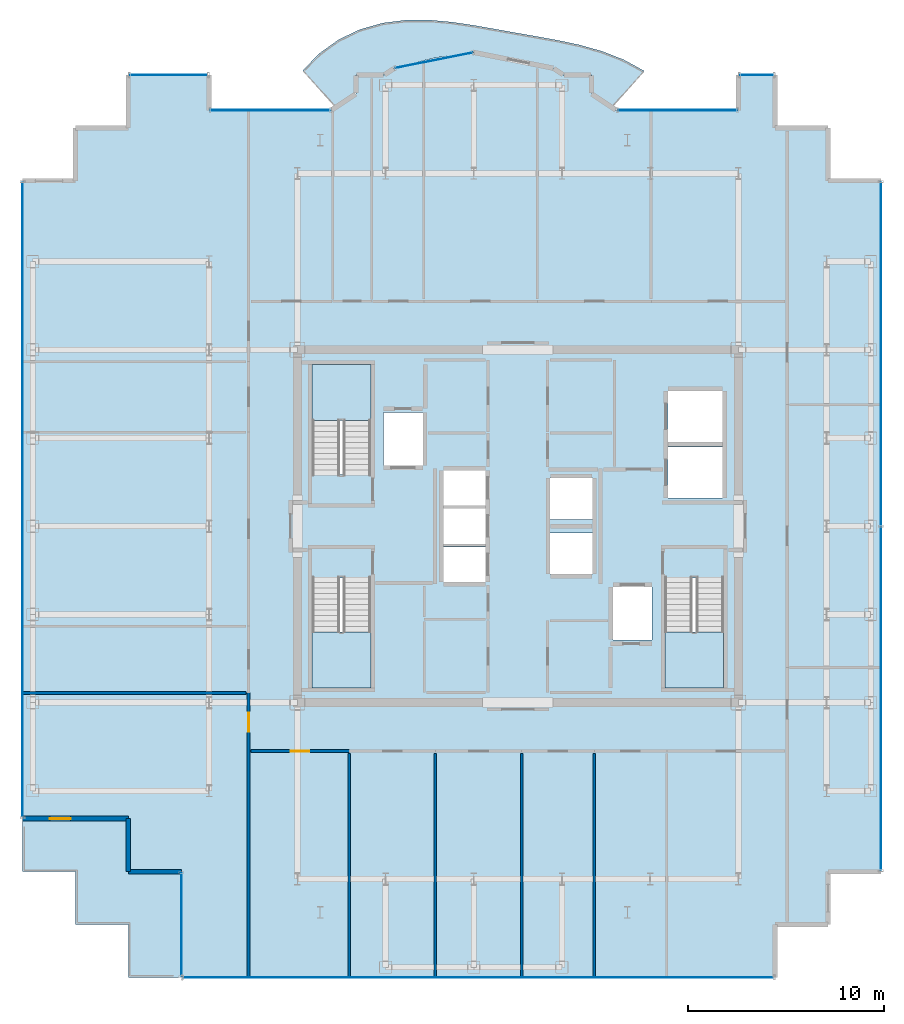
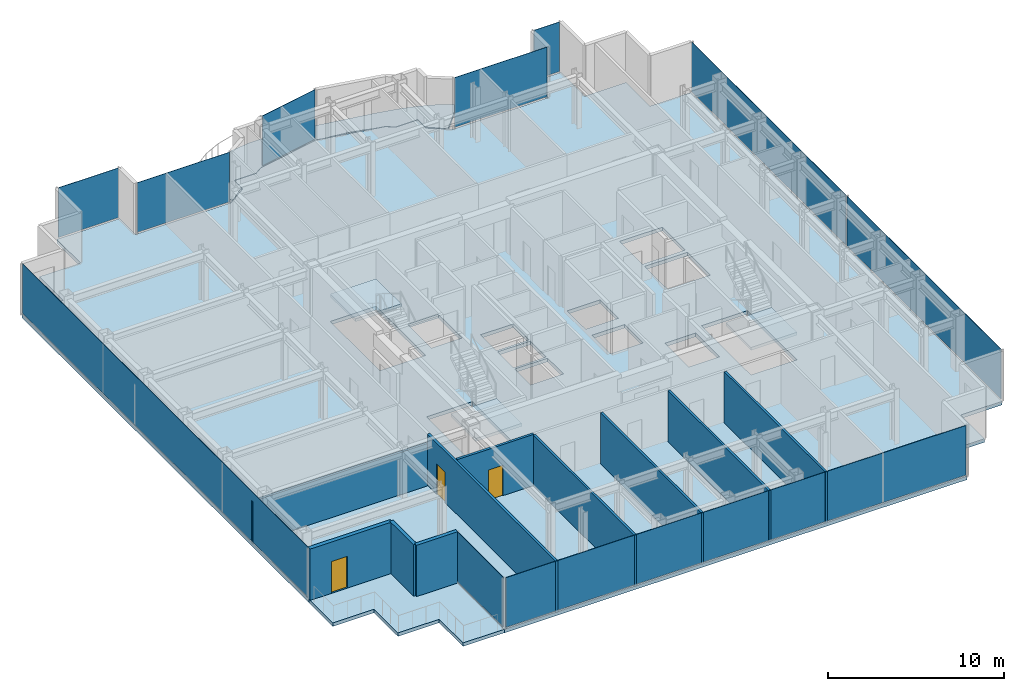
# One storey, part 10 of 17: 10 plates, 10 walls, 6 slabs, 3 doors, 3 openings, 12 elements without a shape of their own.
"""IFC4 building model written with IfcOpenShell, lengths in metres."""

from ifc_helpers import new_model, si_unit, direction, frame, frame_2d, origin, origin_2d, place, context, subcontext, project, spatial, polyline, rectangle, outline, extrude, source, transform, mapped, material, layer, layer_set, type_object, element, fill, aggregate, save


model = new_model("IFC4")

# Units and contexts
model_context = context("Model", 3, precision=1e-05, world=origin(), true_north=direction((0.0, 1.0)))
body_context = subcontext(model_context, "Body", "Model", "MODEL_VIEW")
ifc_project = project(units=[si_unit("LENGTHUNIT", "METRE"), si_unit("AREAUNIT", "SQUARE_METRE"), si_unit("VOLUMEUNIT", "CUBIC_METRE"), si_unit("PLANEANGLEUNIT", "RADIAN"), si_unit("MASSUNIT", "GRAM", prefix="KILO")], contexts=[model_context])

# Site, building, storey
site_placement = place(None, origin())
site = spatial("IfcSite", under=ifc_project, at=site_placement, CompositionType="ELEMENT")
building_placement = place(site_placement, origin())
building = spatial("IfcBuilding", under=site, at=building_placement, Name="Nefas-Gora Pilgrimage Tower", CompositionType="ELEMENT")
storey_placement = place(building_placement, frame((0.0, 0.0, 279.800048828125)))
storey = spatial("IfcBuildingStorey", under=building, at=storey_placement, Name="L70", CompositionType="ELEMENT", Elevation=279.800048828125)

# Slabs
ifc_material_1 = material(Name="Concrete C40/50", Category="concrete")
ifc_layer_1 = layer(ifc_material_1, 0.219970703125)
ifc_layer_set_1 = layer_set([ifc_layer_1], Name="Concrete C40/50")
slab_type_1 = type_object("IfcSlabType", Name="SLB-BAL-P3", PredefinedType="FLOOR", material=ifc_layer_set_1)
slab_1_placement = place(storey_placement, frame((0.0, 0.0, -0.219970703125)))
element("IfcSlab", 1, at=slab_1_placement, inside=storey, type_object=slab_type_1, Name="L70 Sinusoidal Lobe Balcony Slab N (Phase 3)", PredefinedType="FLOOR", context=body_context, shape_type="SweptSolid", body=[
    extrude(outline(polyline([(-9.28759765625, 21.385986328125), (-9.224609375, 21.427978515625), (-8.538330078125, 21.9912109375), (-8.260009765625, 22.179931640625), (-8.260009765625, 23.02001953125), (-8.260009765625, 23.02099609375), (-8.259765625, 23.02197265625), (-8.259521484375, 23.02294921875), (-8.25927734375, 23.023681640625), (-8.2587890625, 23.024658203125), (-8.25830078125, 23.025634765625), (-8.2578125, 23.0263671875), (-8.257080078125, 23.027099609375), (-8.25634765625, 23.027587890625), (-8.255615234375, 23.0283203125), (-8.254638671875, 23.02880859375), (-8.25390625, 23.029296875), (-8.2529296875, 23.029541015625), (-8.251953125, 23.02978515625), (-8.2509765625, 23.030029296875), (-8.25, 23.030029296875), (-6.8271484375, 23.030029296875), (-6.31298828125, 23.37353515625), (-6.31201171875, 23.3740234375), (-6.311279296875, 23.37451171875), (-6.310302734375, 23.375), (-6.309326171875, 23.375), (-5.63037109375, 23.51025390625), (-5.102783203125, 23.685302734375), (-4.165283203125, 23.904052734375), (-3.211669921875, 24.035888671875), (-2.919921875, 24.04931640625), (-2.251953125, 24.18212890625), (-2.2509765625, 24.182373046875), (-2.25, 24.182373046875), (-2.2490234375, 24.182373046875), (-2.248046875, 24.18212890625), (-1.580078125, 24.04931640625), (-1.288330078125, 24.035888671875), (-0.334716796875, 23.904052734375), (0.602783203125, 23.685302734375), (1.13037109375, 23.51025390625), (1.809326171875, 23.375), (1.810302734375, 23.375), (1.811279296875, 23.37451171875), (1.81201171875, 23.3740234375), (1.81298828125, 23.37353515625), (2.3271484375, 23.030029296875), (3.75, 23.030029296875), (3.7509765625, 23.030029296875), (3.751953125, 23.02978515625), (3.7529296875, 23.029541015625), (3.75390625, 23.029296875), (3.754638671875, 23.02880859375), (3.755615234375, 23.0283203125), (3.75634765625, 23.027587890625), (3.757080078125, 23.027099609375), (3.7578125, 23.0263671875), (3.75830078125, 23.025634765625), (3.7587890625, 23.024658203125), (3.75927734375, 23.023681640625), (3.759521484375, 23.02294921875), (3.759765625, 23.02197265625), (3.760009765625, 23.02099609375), (3.760009765625, 23.02001953125), (3.760009765625, 22.179931640625), (4.038330078125, 21.9912109375), (4.724609375, 21.427978515625), (4.78759765625, 21.385986328125), (6.4453125, 23.22705078125), (5.391357421875, 23.802978515625), (4.284912109375, 24.234130859375), (3.16455078125, 24.5498046875), (2.055908203125, 24.787353515625), (0.969482421875, 24.985107421875), (-0.099609375, 25.172607421875), (-1.166259765625, 25.3642578125), (-2.25, 25.554931640625), (-3.366455078125, 25.720947265625), (-4.521240234375, 25.824951171875), (-5.70556640625, 25.822509765625), (-6.8955078125, 25.672119140625), (-8.055908203125, 25.343505859375), (-9.14599609375, 24.8232421875), (-10.127197265625, 24.118896484375), (-10.9716796875, 23.25634765625), (-9.28759765625, 21.385986328125)])), origin(), (0.0, 0.0, 1.0), 0.219970703125),
])
ifc_layer_2 = layer(ifc_material_1, 0.239990234375)
ifc_layer_set_2 = layer_set([ifc_layer_2], Name="Concrete C40/50")
slab_type_2 = type_object("IfcSlabType", Name="SLB-TER-SP-SW", PredefinedType="FLOOR", material=ifc_layer_set_2)
slab_2_placement = place(storey_placement, frame((0.0, 0.0, -0.239990234375)))
element("IfcSlab", 2, at=slab_2_placement, inside=storey, type_object=slab_type_2, Name="L70 Outdoor Sky Terrace Slab TER-SP-SW", PredefinedType="FLOOR", context=body_context, shape_type="SweptSolid", body=[
    extrude(outline(polyline([(-17.169921875, -23.02001953125), (-17.169921875, -17.6201171875), (-19.8701171875, -17.6201171875), (-19.8701171875, -14.919921875), (-25.27001953125, -14.919921875), (-25.27001953125, -17.6201171875), (-22.570068359375, -17.6201171875), (-22.570068359375, -20.320068359375), (-19.8701171875, -20.320068359375), (-19.8701171875, -23.02001953125), (-17.169921875, -23.02001953125)])), origin(), (0.0, 0.0, 1.0), 0.239990234375),
])
ifc_layer_3 = layer(ifc_material_1, 0.25)
ifc_layer_set_3 = layer_set([ifc_layer_3], Name="Concrete C40/50")
slab_type_3 = type_object("IfcSlabType", Name="SLB-TWR-260", PredefinedType="FLOOR", material=ifc_layer_set_3)
slab_3_placement = place(storey_placement, frame((0.0, 0.0, -0.25)))
element("IfcSlab", 3, at=slab_3_placement, inside=storey, type_object=slab_type_3, Name="L70 Structural Floor Slab", PredefinedType="FLOOR", context=body_context, shape_type="SweptSolid", body=[
    extrude(outline(polyline([(15.820068359375, -20.320068359375), (15.820068359375, -17.6201171875), (18.52001953125, -17.6201171875), (18.52001953125, 17.6201171875), (15.820068359375, 17.6201171875), (15.820068359375, 20.320068359375), (13.1201171875, 20.320068359375), (13.1201171875, 23.02001953125), (11.25, 23.02001953125), (11.25, 21.219970703125), (5.01806640625, 21.219970703125), (3.75, 22.0673828125), (3.75, 23.02001953125), (2.32421875, 23.02001953125), (1.807373046875, 23.365234375), (-2.25, 24.17236328125), (-6.307373046875, 23.365234375), (-6.82421875, 23.02001953125), (-8.25, 23.02001953125), (-8.25, 22.0673828125), (-9.51806640625, 21.219970703125), (-15.75, 21.219970703125), (-15.75, 23.02001953125), (-19.8701171875, 23.02001953125), (-19.8701171875, 20.320068359375), (-22.570068359375, 20.320068359375), (-22.570068359375, 17.6201171875), (-25.27001953125, 17.6201171875), (-25.27001953125, -14.919921875), (-19.8701171875, -14.919921875), (-19.8701171875, -17.6201171875), (-17.169921875, -17.6201171875), (-17.169921875, -23.02001953125), (13.1201171875, -23.02001953125), (13.1201171875, -20.320068359375), (15.820068359375, -20.320068359375)]), holes=[polyline([(-10.5, 2.639892578125), (-10.5, 8.25), (-7.5, 8.25), (-7.5, 2.639892578125), (-10.5, 2.639892578125)]), polyline([(10.5, -2.639892578125), (10.5, -8.25), (7.5, -8.25), (7.5, -2.639892578125), (10.5, -2.639892578125)]), polyline([(-7.5, -2.639892578125), (-7.5, -8.25), (-10.5, -8.25), (-10.5, -2.639892578125), (-7.5, -2.639892578125)]), polyline([(-6.85009765625, 5.800048828125), (-4.85009765625, 5.800048828125), (-4.85009765625, 3.10009765625), (-6.85009765625, 3.10009765625), (-6.85009765625, 5.800048828125)]), polyline([(4.85009765625, -3.10009765625), (6.85009765625, -3.10009765625), (6.85009765625, -5.800048828125), (4.85009765625, -5.800048828125), (4.85009765625, -3.10009765625)]), polyline([(7.64990234375, 4.050048828125), (10.449951171875, 4.050048828125), (10.449951171875, 1.449951171875), (7.64990234375, 1.449951171875), (7.64990234375, 4.050048828125)]), polyline([(7.64990234375, 6.89990234375), (10.449951171875, 6.89990234375), (10.449951171875, 4.300048828125), (7.64990234375, 4.300048828125), (7.64990234375, 6.89990234375)]), polyline([(-3.800048828125, -1.050048828125), (-1.64990234375, -1.050048828125), (-1.64990234375, -2.85009765625), (-3.800048828125, -2.85009765625), (-3.800048828125, -1.050048828125)]), polyline([(-3.800048828125, 0.89990234375), (-1.64990234375, 0.89990234375), (-1.64990234375, -0.89990234375), (-3.800048828125, -0.89990234375), (-3.800048828125, 0.89990234375)]), polyline([(-3.800048828125, 2.85009765625), (-1.64990234375, 2.85009765625), (-1.64990234375, 1.050048828125), (-3.800048828125, 1.050048828125), (-3.800048828125, 2.85009765625)]), polyline([(1.64990234375, -0.35009765625), (3.800048828125, -0.35009765625), (3.800048828125, -2.449951171875), (1.64990234375, -2.449951171875), (1.64990234375, -0.35009765625)]), polyline([(1.64990234375, 2.449951171875), (3.800048828125, 2.449951171875), (3.800048828125, 0.35009765625), (1.64990234375, 0.35009765625), (1.64990234375, 2.449951171875)])]), origin(), (0.0, 0.0, 1.0), 0.25),
])

# Stair, slab
ifc_material_2 = material(Name="Concrete C45/55", Category="concrete")
stair_type = type_object("IfcStairType", Name="STR-1400-R1727", PredefinedType="HALF_TURN_STAIR", material=ifc_material_2)
stair_1_placement = place(storey_placement, origin())
stair_1 = element("IfcStair", 4, at=stair_1_placement, inside=storey, type_object=stair_type, Name="L70 Pressurised Tower Exit Stair ST-01", PredefinedType="HALF_TURN_STAIR")
ifc_layer_4 = layer(ifc_material_1, 0.199951171875)
ifc_layer_set_4 = layer_set([ifc_layer_4], Name="Concrete C40/50")
slab_type_4 = type_object("IfcSlabType", Name="STR-LAND-200", PredefinedType="LANDING", material=ifc_layer_set_4)
slab_4_placement = place(storey_placement, frame((0.0, 0.0, 1.699951171875)))
slab_4 = element("IfcSlab", 5, at=slab_4_placement, type_object=slab_type_4, Name="ST-01 landing 1", PredefinedType="LANDING", context=body_context, shape_type="SweptSolid", body=[
    extrude(outline(polyline([(-7.5, 5.39990234375), (-7.5, 8.25), (-10.5, 8.25), (-10.5, 5.39990234375), (-7.5, 5.39990234375)])), origin(), (0.0, 0.0, 1.0), 0.199951171875),
])
aggregate(stair_1, [slab_4])

stair_2_placement = place(storey_placement, origin())
stair_2 = element("IfcStair", 6, at=stair_2_placement, inside=storey, type_object=stair_type, Name="L70 Pressurised Tower Exit Stair ST-02", PredefinedType="HALF_TURN_STAIR")
slab_5_placement = place(storey_placement, frame((0.0, 0.0, 1.699951171875)))
slab_5 = element("IfcSlab", 7, at=slab_5_placement, type_object=slab_type_4, Name="ST-02 landing 1", PredefinedType="LANDING", context=body_context, shape_type="SweptSolid", body=[
    extrude(outline(polyline([(7.5, -5.39990234375), (7.5, -8.25), (10.5, -8.25), (10.5, -5.39990234375), (7.5, -5.39990234375)])), origin(), (0.0, 0.0, 1.0), 0.199951171875),
])
aggregate(stair_2, [slab_5])

stair_3_placement = place(storey_placement, origin())
stair_3 = element("IfcStair", 8, at=stair_3_placement, inside=storey, type_object=stair_type, Name="L70 Pressurised Tower Exit Stair ST-03", PredefinedType="HALF_TURN_STAIR")
slab_6_placement = place(storey_placement, frame((0.0, 0.0, 1.699951171875)))
slab_6 = element("IfcSlab", 9, at=slab_6_placement, type_object=slab_type_4, Name="ST-03 landing 1", PredefinedType="LANDING", context=body_context, shape_type="SweptSolid", body=[
    extrude(outline(polyline([(-10.5, -5.39990234375), (-10.5, -8.25), (-7.5, -8.25), (-7.5, -5.39990234375), (-10.5, -5.39990234375)])), origin(), (0.0, 0.0, 1.0), 0.199951171875),
])
aggregate(stair_3, [slab_6])

# Curtain wall, plate
ifc_material_3 = material(Name="Dark ceramic-fritted solar-control aluminium-glass curtain wall", Category="aluminium")
ifc_layer_5 = layer(ifc_material_3, 0.219970703125)
ifc_layer_set_5 = layer_set([ifc_layer_5], Name="Dark ceramic-fritted solar-control aluminium-glass curtain wall")
curtain_wall_type_1 = type_object("IfcCurtainWallType", Name="CW-SYS-5", PredefinedType="NOTDEFINED", material=ifc_layer_set_5)
curtain_wall_1_placement = place(storey_placement, origin())
curtain_wall_1 = element("IfcCurtainWall", 10, at=curtain_wall_1_placement, inside=storey, type_object=curtain_wall_type_1, Name="L70 Unitised Curtain Wall CW5", PredefinedType="NOTDEFINED")
ifc_material_4 = material(Name="Dark ceramic-printed low-e insulated glass", Category="glass")
ifc_layer_6 = layer(ifc_material_4, 0.028076171875)
ifc_layer_set_6 = layer_set([ifc_layer_6], Name="Dark ceramic-printed low-e insulated glass")
plate_type_1 = type_object("IfcPlateType", Name="CWP-PNL-5", PredefinedType="CURTAIN_PANEL", material=ifc_layer_set_6)
shared_shape_1 = source(origin(), body_context, "Body", "SweptSolid", [
    extrude(rectangle(XDim=6.052001953125, YDim=0.028076171875, at=origin_2d()), origin(), (0.0, 0.0, 1.0), 3.43994140625),
])
plate_1_placement = place(storey_placement, frame((8.134033203125, 21.219970703125, 0.10009765625), z_axis=(0.0, 0.0, 1.0), x_axis=(-1.0, 0.0, 0.0)))
plate_1 = element("IfcPlate", 11, at=plate_1_placement, type_object=plate_type_1, Name="CW5 Ceramic-Fritted Glazing Panel 1", PredefinedType="CURTAIN_PANEL", context=body_context, shape_type="MappedRepresentation", body=[
    mapped(shared_shape_1, transform((0.0, 0.0, 0.0), x_axis=(1.0, 0.0, 0.0), y_axis=(0.0, 1.0, 0.0), z_axis=(0.0, 0.0, 1.0), scale=1.0)),
])
aggregate(curtain_wall_1, [plate_1])

curtain_wall_2_placement = place(storey_placement, origin())
curtain_wall_2 = element("IfcCurtainWall", 12, at=curtain_wall_2_placement, inside=storey, type_object=curtain_wall_type_1, Name="L70 Unitised Curtain Wall CW5", PredefinedType="NOTDEFINED")
plate_2_placement = place(storey_placement, frame((-12.634033203125, 21.219970703125, 0.10009765625), z_axis=(0.0, 0.0, 1.0), x_axis=(-1.0, 0.0, 0.0)))
plate_2 = element("IfcPlate", 13, at=plate_2_placement, type_object=plate_type_1, Name="CW5 Ceramic-Fritted Glazing Panel 1", PredefinedType="CURTAIN_PANEL", context=body_context, shape_type="MappedRepresentation", body=[
    mapped(shared_shape_1, transform((0.0, 0.0, 0.0), x_axis=(1.0, 0.0, 0.0), y_axis=(0.0, 1.0, 0.0), z_axis=(0.0, 0.0, 1.0), scale=1.0)),
])
aggregate(curtain_wall_2, [plate_2])

curtain_wall_3_placement = place(storey_placement, origin())
curtain_wall_3 = element("IfcCurtainWall", 14, at=curtain_wall_3_placement, inside=storey, type_object=curtain_wall_type_1, Name="L70 Unitised Curtain Wall CW5", PredefinedType="NOTDEFINED")
shared_shape_2 = source(origin(), body_context, "Body", "SweptSolid", [
    extrude(rectangle(XDim=3.956787109375, YDim=0.028076171875, at=origin_2d()), origin(), (0.0, 0.0, 1.0), 3.43994140625),
])
plate_3_placement = place(storey_placement, frame((-4.278564453125, 23.768798828125, 0.10009765625), z_axis=(0.0, 0.0, 1.0), x_axis=(-0.980782896852, -0.195102304554, 0.0)))
plate_3 = element("IfcPlate", 15, at=plate_3_placement, type_object=plate_type_1, Name="CW5 Ceramic-Fritted Glazing Panel 1", PredefinedType="CURTAIN_PANEL", context=body_context, shape_type="MappedRepresentation", body=[
    mapped(shared_shape_2, transform((0.0, 0.0, 0.0), x_axis=(1.0, 0.0, 0.0), y_axis=(0.0, 1.0, 0.0), z_axis=(0.0, 0.0, 1.0), scale=1.0)),
])
aggregate(curtain_wall_3, [plate_3])

ifc_layer_7 = layer(ifc_material_3, 0.219970703125)
ifc_layer_set_7 = layer_set([ifc_layer_7], Name="Dark ceramic-fritted solar-control aluminium-glass curtain wall")
curtain_wall_type_2 = type_object("IfcCurtainWallType", Name="CW-SYS-4", PredefinedType="NOTDEFINED", material=ifc_layer_set_7)
curtain_wall_4_placement = place(storey_placement, origin())
curtain_wall_4 = element("IfcCurtainWall", 16, at=curtain_wall_4_placement, inside=storey, type_object=curtain_wall_type_2, Name="L70 Unitised Curtain Wall CW4", PredefinedType="NOTDEFINED")
ifc_layer_8 = layer(ifc_material_4, 0.030029296875)
ifc_layer_set_8 = layer_set([ifc_layer_8], Name="Dark ceramic-printed low-e insulated glass")
plate_type_2 = type_object("IfcPlateType", Name="CWP-PNL-4", PredefinedType="CURTAIN_PANEL", material=ifc_layer_set_8)
shared_shape_3 = source(origin(), body_context, "Body", "SweptSolid", [
    extrude(rectangle(XDim=1.68994140625, YDim=0.030029296875, at=origin_2d()), origin(), (0.0, 0.0, 1.0), 3.43994140625),
])
plate_4_placement = place(storey_placement, frame((12.18505859375, 23.02001953125, 0.10009765625), z_axis=(0.0, 0.0, 1.0), x_axis=(-1.0, 0.0, 0.0)))
plate_4 = element("IfcPlate", 17, at=plate_4_placement, type_object=plate_type_2, Name="CW4 Ceramic-Fritted Glazing Panel 1", PredefinedType="CURTAIN_PANEL", context=body_context, shape_type="MappedRepresentation", body=[
    mapped(shared_shape_3, transform((0.0, 0.0, 0.0), x_axis=(1.0, 0.0, 0.0), y_axis=(0.0, 1.0, 0.0), z_axis=(0.0, 0.0, 1.0), scale=1.0)),
])
aggregate(curtain_wall_4, [plate_4])

curtain_wall_5_placement = place(storey_placement, origin())
curtain_wall_5 = element("IfcCurtainWall", 18, at=curtain_wall_5_placement, inside=storey, type_object=curtain_wall_type_2, Name="L70 Unitised Curtain Wall CW4", PredefinedType="NOTDEFINED")
shared_shape_4 = source(origin(), body_context, "Body", "SweptSolid", [
    extrude(rectangle(XDim=3.93994140625, YDim=0.030029296875, at=origin_2d()), origin(), (0.0, 0.0, 1.0), 3.43994140625),
])
plate_5_placement = place(storey_placement, frame((-17.81005859375, 23.02001953125, 0.10009765625), z_axis=(0.0, 0.0, 1.0), x_axis=(-1.0, 0.0, 0.0)))
plate_5 = element("IfcPlate", 19, at=plate_5_placement, type_object=plate_type_2, Name="CW4 Ceramic-Fritted Glazing Panel 1", PredefinedType="CURTAIN_PANEL", context=body_context, shape_type="MappedRepresentation", body=[
    mapped(shared_shape_4, transform((0.0, 0.0, 0.0), x_axis=(1.0, 0.0, 0.0), y_axis=(0.0, 1.0, 0.0), z_axis=(0.0, 0.0, 1.0), scale=1.0)),
])
aggregate(curtain_wall_5, [plate_5])

# Curtain wall, plates
curtain_wall_6_placement = place(storey_placement, origin())
curtain_wall_6 = element("IfcCurtainWall", 20, at=curtain_wall_6_placement, inside=storey, type_object=curtain_wall_type_2, Name="L70 Unitised Curtain Wall CW4", PredefinedType="NOTDEFINED")
shared_shape_5 = source(origin(), body_context, "Body", "SweptSolid", [
    extrude(rectangle(XDim=17.485107421875, YDim=0.030029296875, at=origin_2d()), origin(), (0.0, 0.0, 1.0), 3.43994140625),
])
plate_6_placement = place(storey_placement, frame((18.52001953125, -8.78759765625, 0.10009765625), z_axis=(0.0, 0.0, 1.0), x_axis=(0.0, 1.0, 0.0)))
plate_6 = element("IfcPlate", 21, at=plate_6_placement, type_object=plate_type_2, Name="CW4 Ceramic-Fritted Glazing Panel 1", PredefinedType="CURTAIN_PANEL", context=body_context, shape_type="MappedRepresentation", body=[
    mapped(shared_shape_5, transform((0.0, 0.0, 0.0), x_axis=(1.0, 0.0, 0.0), y_axis=(0.0, 1.0, 0.0), z_axis=(0.0, 0.0, 1.0), scale=1.0)),
])
plate_7_placement = place(storey_placement, frame((18.52001953125, 8.78759765625, 0.10009765625), z_axis=(0.0, 0.0, 1.0), x_axis=(0.0, 1.0, 0.0)))
plate_7 = element("IfcPlate", 22, at=plate_7_placement, type_object=plate_type_2, Name="CW4 Ceramic-Fritted Glazing Panel 2", PredefinedType="CURTAIN_PANEL", context=body_context, shape_type="MappedRepresentation", body=[
    mapped(shared_shape_5, transform((0.0, 0.0, 0.0), x_axis=(1.0, 0.0, 0.0), y_axis=(0.0, 1.0, 0.0), z_axis=(0.0, 0.0, 1.0), scale=1.0)),
])
aggregate(curtain_wall_6, [plate_6, plate_7])

# Curtain wall, plate
curtain_wall_7_placement = place(storey_placement, origin())
curtain_wall_7 = element("IfcCurtainWall", 23, at=curtain_wall_7_placement, inside=storey, type_object=curtain_wall_type_2, Name="L70 Unitised Curtain Wall CW4", PredefinedType="NOTDEFINED")
shared_shape_6 = source(origin(), body_context, "Body", "SweptSolid", [
    extrude(rectangle(XDim=32.360107421875, YDim=0.030029296875, at=origin_2d()), origin(), (0.0, 0.0, 1.0), 3.43994140625),
])
plate_8_placement = place(storey_placement, frame((-25.27001953125, 1.35009765625, 0.10009765625), z_axis=(0.0, 0.0, 1.0), x_axis=(0.0, -1.0, 0.0)))
plate_8 = element("IfcPlate", 24, at=plate_8_placement, type_object=plate_type_2, Name="CW4 Ceramic-Fritted Glazing Panel 1", PredefinedType="CURTAIN_PANEL", context=body_context, shape_type="MappedRepresentation", body=[
    mapped(shared_shape_6, transform((0.0, 0.0, 0.0), x_axis=(1.0, 0.0, 0.0), y_axis=(0.0, 1.0, 0.0), z_axis=(0.0, 0.0, 1.0), scale=1.0)),
])
aggregate(curtain_wall_7, [plate_8])

curtain_wall_8_placement = place(storey_placement, origin())
curtain_wall_8 = element("IfcCurtainWall", 25, at=curtain_wall_8_placement, inside=storey, type_object=curtain_wall_type_2, Name="L70 Unitised Curtain Wall CW4", PredefinedType="NOTDEFINED")
shared_shape_7 = source(origin(), body_context, "Body", "SweptSolid", [
    extrude(rectangle(XDim=5.219970703125, YDim=0.030029296875, at=origin_2d()), origin(), (0.0, 0.0, 1.0), 3.43994140625),
])
plate_9_placement = place(storey_placement, frame((-17.169921875, -20.320068359375, 0.10009765625), z_axis=(0.0, 0.0, 1.0), x_axis=(0.0, -1.0, 0.0)))
plate_9 = element("IfcPlate", 26, at=plate_9_placement, type_object=plate_type_2, Name="CW4 Ceramic-Fritted Glazing Panel 1", PredefinedType="CURTAIN_PANEL", context=body_context, shape_type="MappedRepresentation", body=[
    mapped(shared_shape_7, transform((0.0, 0.0, 0.0), x_axis=(1.0, 0.0, 0.0), y_axis=(0.0, 1.0, 0.0), z_axis=(0.0, 0.0, 1.0), scale=1.0)),
])
aggregate(curtain_wall_8, [plate_9])

curtain_wall_9_placement = place(storey_placement, origin())
curtain_wall_9 = element("IfcCurtainWall", 27, at=curtain_wall_9_placement, inside=storey, type_object=curtain_wall_type_2, Name="L70 Unitised Curtain Wall CW4", PredefinedType="NOTDEFINED")
shared_shape_8 = source(origin(), body_context, "Body", "SweptSolid", [
    extrude(rectangle(XDim=30.110107421875, YDim=0.030029296875, at=origin_2d()), origin(), (0.0, 0.0, 1.0), 3.43994140625),
])
plate_10_placement = place(storey_placement, frame((-2.02490234375, -23.02001953125, 0.10009765625), z_axis=(0.0, 0.0, 1.0), x_axis=(1.0, 0.0, 0.0)))
plate_10 = element("IfcPlate", 28, at=plate_10_placement, type_object=plate_type_2, Name="CW4 Ceramic-Fritted Glazing Panel 1", PredefinedType="CURTAIN_PANEL", context=body_context, shape_type="MappedRepresentation", body=[
    mapped(shared_shape_8, transform((0.0, 0.0, 0.0), x_axis=(1.0, 0.0, 0.0), y_axis=(0.0, 1.0, 0.0), z_axis=(0.0, 0.0, 1.0), scale=1.0)),
])
aggregate(curtain_wall_9, [plate_10])

# Wall, opening, door
ifc_material_5 = material(Name="Precast concrete C40/50", Category="concrete")
ifc_layer_9 = layer(ifc_material_5, 0.260009765625)
ifc_layer_set_9 = layer_set([ifc_layer_9], Name="Precast concrete C40/50")
wall_type_1 = type_object("IfcWallType", Name="EW-PORTAL-260", PredefinedType="SOLIDWALL", material=ifc_layer_set_9)
shared_shape_9 = source(origin(), body_context, "Body", "SweptSolid", [
    extrude(rectangle(XDim=5.39990234375, YDim=0.260009765625, at=frame_2d((2.699951171875, 0.0))), origin(), (0.0, 0.0, 1.0), 3.550048828125),
])
wall_1_placement = place(storey_placement, frame((-25.27001953125, -14.919921875, 0.0), z_axis=(0.0, 0.0, 1.0), x_axis=(1.0, 0.0, 0.0)))
wall_1 = element("IfcWall", 29, at=wall_1_placement, inside=storey, type_object=wall_type_1, Name="L70 Insulated Terrace Portal Wall 22", PredefinedType="SOLIDWALL", context=body_context, shape_type="MappedRepresentation", body=[
    mapped(shared_shape_9, transform((0.0, 0.0, 0.0), x_axis=(1.0, 0.0, 0.0), y_axis=(0.0, 1.0, 0.0), z_axis=(0.0, 0.0, 1.0), scale=1.0)),
])
opening_1_placement = place(wall_1_placement, frame((1.39697265625, 0.0, 0.0)))
opening_1 = element("IfcOpeningElement", 30, at=opening_1_placement, cuts=wall_1, Name="Opening ED-T1", PredefinedType="OPENING", context=body_context, shape_type="SweptSolid", body=[
    extrude(rectangle(XDim=1.050048828125, YDim=2.199951171875, at=frame_2d((0.52490234375, 1.10009765625))), frame((0.0, 0.139892578125, 0.0), z_axis=(0.0, -1.0, 0.0), x_axis=(1.0, 0.0, 0.0)), (0.0, 0.0, 1.0), 0.280029296875),
])
ifc_material_6 = material(Name="Thermally broken glazed aluminium terrace door", Category="aluminium")
door_type_1 = type_object("IfcDoorType", Name="DR-EXT-TER-1050", OperationType="NOTDEFINED", PredefinedType="DOOR", material=ifc_material_6)
shared_shape_10 = source(origin(), body_context, "Body", "SweptSolid", [
    extrude(rectangle(XDim=1.050048828125, YDim=2.199951171875, at=frame_2d((0.52490234375, 1.10009765625))), frame((0.0, 0.02490234375, 0.0), z_axis=(0.0, -1.0, 0.0), x_axis=(1.0, 0.0, 0.0)), (0.0, 0.0, 1.0), 0.050048828125),
])
door_1_placement = place(opening_1_placement, origin())
door_1 = element("IfcDoor", 31, at=door_1_placement, inside=storey, type_object=door_type_1, Name="L70 Exterior Door (L70 Outdoor Terrace TER-SP-SW)", OperationType="SINGLE_SWING_LEFT", OverallHeight=2.199951171875, OverallWidth=1.050048828125, PredefinedType="DOOR", context=body_context, shape_type="MappedRepresentation", body=[
    mapped(shared_shape_10, transform((0.0, 0.0, 0.0), x_axis=(1.0, 0.0, 0.0), y_axis=(0.0, 1.0, 0.0), z_axis=(0.0, 0.0, 1.0), scale=1.0)),
])
fill(opening_1, door_1)

# Walls
ifc_material_7 = material(Name="Precast concrete C45/55", Category="concrete")
ifc_layer_10 = layer(ifc_material_7, 0.239990234375)
ifc_layer_set_10 = layer_set([ifc_layer_10], Name="Precast concrete C45/55")
wall_type_2 = type_object("IfcWallType", Name="EW-SERR-240", PredefinedType="SHEAR", material=ifc_layer_set_10)
shared_shape_11 = source(origin(), body_context, "Body", "SweptSolid", [
    extrude(rectangle(XDim=2.7001953125, YDim=0.239990234375, at=frame_2d((1.35009765625, 0.0))), origin(), (0.0, 0.0, 1.0), 3.550048828125),
])
for number, where, z_axis, x_axis, name in (
    (32, (-19.8701171875, -14.919921875, 0.0), (0.0, 0.0, 1.0), (0.0, -1.0, 0.0), "L70 Serrated Corner Shear Pier Wall 23"),
    (33, (-19.8701171875, -17.6201171875, 0.0), (0.0, 0.0, 1.0), (1.0, 0.0, 0.0), "L70 Serrated Corner Shear Pier Wall 24"),
):
    element("IfcWall", number, at=place(storey_placement, frame(where, z_axis=z_axis, x_axis=x_axis)), inside=storey, type_object=wall_type_2, Name=name, PredefinedType="SHEAR", context=body_context, shape_type="MappedRepresentation", body=[
        mapped(shared_shape_11, transform((0.0, 0.0, 0.0), x_axis=(1.0, 0.0, 0.0), y_axis=(0.0, 1.0, 0.0), z_axis=(0.0, 0.0, 1.0), scale=1.0)),
    ])

# Wall, opening, door
ifc_material_8 = material(Name="Gypsum acoustic stud partition")
ifc_layer_11 = layer(ifc_material_8, 0.159912109375)
ifc_layer_set_11 = layer_set([ifc_layer_11], Name="Gypsum acoustic stud partition")
wall_type_3 = type_object("IfcWallType", Name="IW-CORR-160", PredefinedType="PARTITIONING", material=ifc_layer_set_11)
shared_shape_12 = source(origin(), body_context, "Body", "SweptSolid", [
    extrude(rectangle(XDim=14.544921875, YDim=0.159912109375, at=frame_2d((7.2724609375, 0.0))), origin(), (0.0, 0.0, 1.0), 3.534912109375),
])
wall_2_placement = place(storey_placement, frame((-13.739990234375, -23.0400390625, 0.0), z_axis=(0.0, 0.0, 1.0), x_axis=(0.0, 1.0, 0.0)))
wall_2 = element("IfcWall", 34, at=wall_2_placement, inside=storey, type_object=wall_type_3, Name="L70 Pilgrim Tea and Beverage Pantry Partition Wall 39", PredefinedType="PARTITIONING", context=body_context, shape_type="MappedRepresentation", body=[
    mapped(shared_shape_12, transform((0.0, 0.0, 0.0), x_axis=(1.0, 0.0, 0.0), y_axis=(0.0, 1.0, 0.0), z_axis=(0.0, 0.0, 1.0), scale=1.0)),
])
opening_2_placement = place(wall_2_placement, frame((12.5625, 0.0, 0.0)))
opening_2 = element("IfcOpeningElement", 35, at=opening_2_placement, cuts=wall_2, Name="Opening ID-GR1", PredefinedType="OPENING", context=body_context, shape_type="SweptSolid", body=[
    extrude(rectangle(XDim=0.949951171875, YDim=2.10009765625, at=frame_2d((0.47509765625, 1.050048828125))), frame((0.0, 0.08984375, 0.0), z_axis=(0.0, -1.0, 0.0), x_axis=(1.0, 0.0, 0.0)), (0.0, 0.0, 1.0), 0.179931640625),
])
ifc_material_9 = material(Name="Solid core oak fire-rated guest entrance door")
door_type_2 = type_object("IfcDoorType", Name="DR-INT-GUEST-950", OperationType="NOTDEFINED", PredefinedType="DOOR", material=ifc_material_9)
shared_shape_13 = source(origin(), body_context, "Body", "SweptSolid", [
    extrude(rectangle(XDim=0.949951171875, YDim=2.10009765625, at=frame_2d((0.47509765625, 1.050048828125))), frame((0.0, 0.02490234375, 0.0), z_axis=(0.0, -1.0, 0.0), x_axis=(1.0, 0.0, 0.0)), (0.0, 0.0, 1.0), 0.050048828125),
])
door_2_placement = place(opening_2_placement, origin())
door_2 = element("IfcDoor", 36, at=door_2_placement, inside=storey, type_object=door_type_2, Name="L70 Pilgrim Tea and Beverage Pantry Door 16", OperationType="SINGLE_SWING_RIGHT", OverallHeight=2.10009765625, OverallWidth=0.949951171875, PredefinedType="DOOR", context=body_context, shape_type="MappedRepresentation", body=[
    mapped(shared_shape_13, transform((0.0, 0.0, 0.0), x_axis=(1.0, 0.0, 0.0), y_axis=(0.0, 1.0, 0.0), z_axis=(0.0, 0.0, 1.0), scale=1.0)),
])
fill(opening_2, door_2)

shared_shape_14 = source(origin(), body_context, "Body", "SweptSolid", [
    extrude(rectangle(XDim=5.025146484375, YDim=0.159912109375, at=frame_2d((2.5126953125, 0.0))), origin(), (0.0, 0.0, 1.0), 3.534912109375),
])
wall_3_placement = place(storey_placement, frame((-13.6201171875, -11.469970703125, 0.0), z_axis=(0.0, 0.0, 1.0), x_axis=(1.0, 0.0, 0.0)))
wall_3 = element("IfcWall", 37, at=wall_3_placement, inside=storey, type_object=wall_type_3, Name="L70 Pilgrim Contemplative Lounge Partition Wall 61", PredefinedType="PARTITIONING", context=body_context, shape_type="MappedRepresentation", body=[
    mapped(shared_shape_14, transform((0.0, 0.0, 0.0), x_axis=(1.0, 0.0, 0.0), y_axis=(0.0, 1.0, 0.0), z_axis=(0.0, 0.0, 1.0), scale=1.0)),
])
opening_3_placement = place(wall_3_placement, frame((2.03759765625, 0.0, 0.0)))
opening_3 = element("IfcOpeningElement", 38, at=opening_3_placement, cuts=wall_3, Name="Opening ID-GR1", PredefinedType="OPENING", context=body_context, shape_type="SweptSolid", body=[
    extrude(rectangle(XDim=0.949951171875, YDim=2.10009765625, at=frame_2d((0.47509765625, 1.050048828125))), frame((0.0, 0.08984375, 0.0), z_axis=(0.0, -1.0, 0.0), x_axis=(1.0, 0.0, 0.0)), (0.0, 0.0, 1.0), 0.179931640625),
])
door_3_placement = place(opening_3_placement, origin())
door_3 = element("IfcDoor", 39, at=door_3_placement, inside=storey, type_object=door_type_2, Name="L70 Pilgrim Contemplative Lounge Door 29", OperationType="SINGLE_SWING_LEFT", OverallHeight=2.10009765625, OverallWidth=0.949951171875, PredefinedType="DOOR", context=body_context, shape_type="MappedRepresentation", body=[
    mapped(shared_shape_13, transform((0.0, 0.0, 0.0), x_axis=(1.0, 0.0, 0.0), y_axis=(0.0, 1.0, 0.0), z_axis=(0.0, 0.0, 1.0), scale=1.0)),
])
fill(opening_3, door_3)

# Walls
ifc_material_10 = material(Name="Gypsum twin-stud partition")
ifc_layer_12 = layer(ifc_material_10, 0.139892578125)
ifc_layer_set_12 = layer_set([ifc_layer_12], Name="Gypsum twin-stud partition")
wall_type_4 = type_object("IfcWallType", Name="IW-UNIT-140", PredefinedType="PARTITIONING", material=ifc_layer_set_12)
shared_shape_15 = source(origin(), body_context, "Body", "SweptSolid", [
    extrude(rectangle(XDim=11.429931640625, YDim=0.139892578125, at=frame_2d((5.71484375, 0.0))), origin(), (0.0, 0.0, 1.0), 2.925048828125),
])
wall_4_placement = place(storey_placement, frame((-25.2900390625, -8.5048828125, 0.0), z_axis=(0.0, 0.0, 1.0), x_axis=(1.0, 0.0, 0.0)))
element("IfcWall", 40, at=wall_4_placement, inside=storey, type_object=wall_type_4, Name="L70 Pilgrim Tea and Beverage Pantry Partition Wall 40", PredefinedType="PARTITIONING", context=body_context, shape_type="MappedRepresentation", body=[
    mapped(shared_shape_15, transform((0.0, 0.0, 0.0), x_axis=(1.0, 0.0, 0.0), y_axis=(0.0, 1.0, 0.0), z_axis=(0.0, 0.0, 1.0), scale=1.0)),
])
shared_shape_16 = source(origin(), body_context, "Body", "SweptSolid", [
    extrude(rectangle(XDim=11.449951171875, YDim=0.139892578125, at=frame_2d((5.72509765625, 0.0))), origin(), (0.0, 0.0, 1.0), 3.534912109375),
])
for number, where, z_axis, x_axis, name in (
    (41, (-8.60498046875, -23.0400390625, 0.0), (0.0, 0.0, 1.0), (0.0, 1.0, 0.0), "L70 Pilgrim Contemplative Lounge Partition Wall 62"),
    (42, (-4.2099609375, -23.0400390625, 0.0), (0.0, 0.0, 1.0), (0.0, 1.0, 0.0), "L70 Pilgrim Contemplative Lounge Partition Wall 64"),
    (43, (0.195068359375, -23.0400390625, 0.0), (0.0, 0.0, 1.0), (0.0, 1.0, 0.0), "L70 Pilgrim Contemplative Lounge Partition Wall 66"),
    (44, (3.889892578125, -23.0400390625, 0.0), (0.0, 0.0, 1.0), (0.0, 1.0, 0.0), "L70 Pilgrim Contemplative Lounge Partition Wall 68"),
):
    element("IfcWall", number, at=place(storey_placement, frame(where, z_axis=z_axis, x_axis=x_axis)), inside=storey, type_object=wall_type_4, Name=name, PredefinedType="PARTITIONING", context=body_context, shape_type="MappedRepresentation", body=[
        mapped(shared_shape_16, transform((0.0, 0.0, 0.0), x_axis=(1.0, 0.0, 0.0), y_axis=(0.0, 1.0, 0.0), z_axis=(0.0, 0.0, 1.0), scale=1.0)),
    ])

save(model, "model.ifc")
